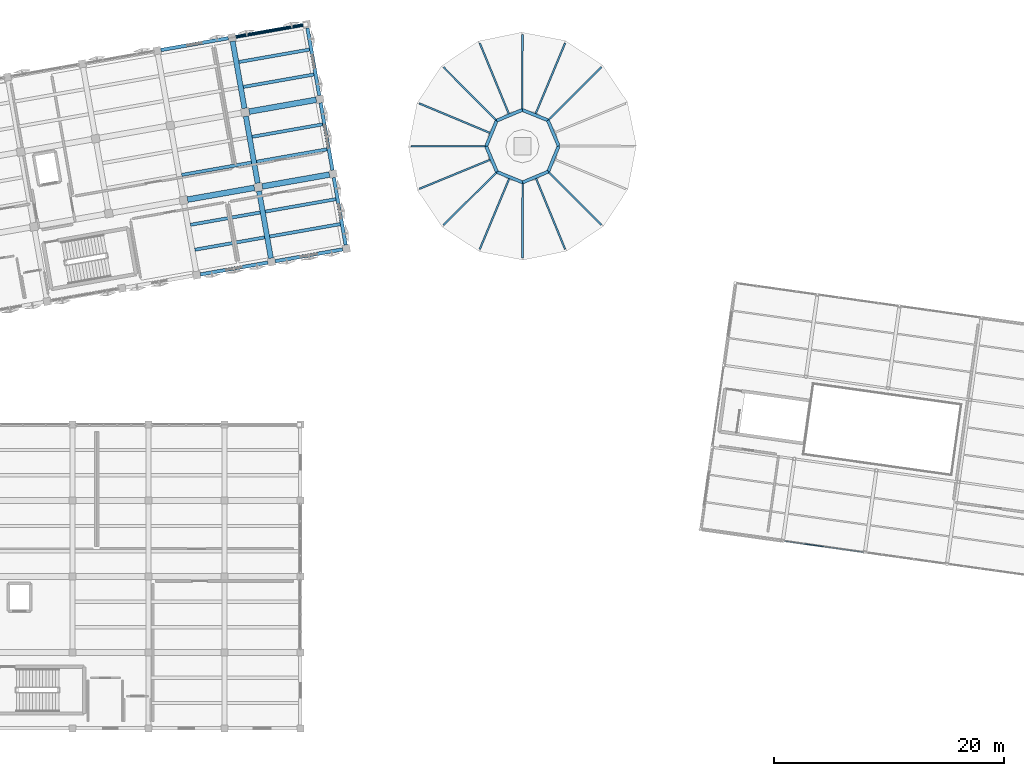
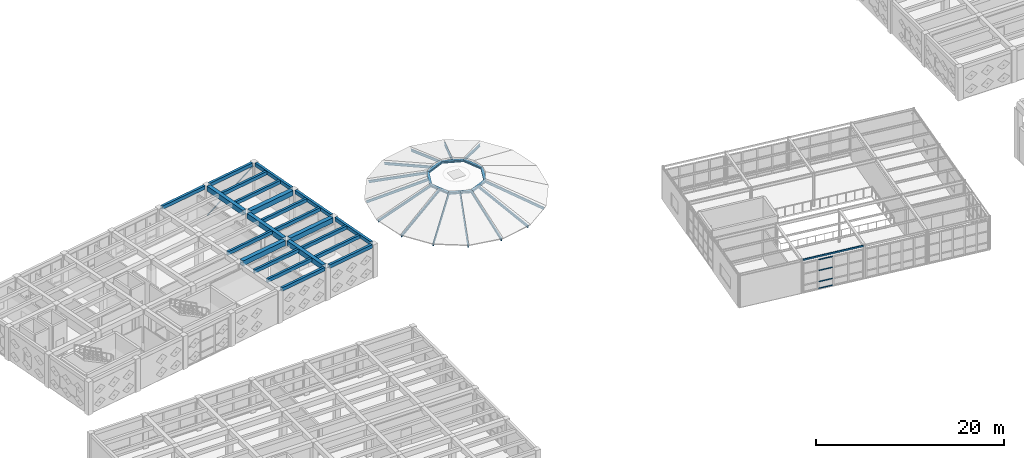
# One storey, part 19 of 67: 44 beams, 5 members, 1 element without a shape of its own.
"""IFC4 building model written with IfcOpenShell, lengths in metres."""

from ifc_helpers import new_model, si_unit, direction, frame, origin, origin_2d, place, context, subcontext, project, spatial, rectangle, hollow_rectangle, hollow_circle, i_section, extrude, material, layer, layer_set, material_profile, profile_set, type_object, element, aggregate, save


model = new_model("IFC4")

# Units and contexts
model_context = context("Model", 3, precision=1e-05, world=origin(), true_north=direction((0.0, 1.0)))
body_context = subcontext(model_context, "Body", "Model", "MODEL_VIEW")
ifc_project = project(units=[si_unit("LENGTHUNIT", "METRE"), si_unit("AREAUNIT", "SQUARE_METRE"), si_unit("VOLUMEUNIT", "CUBIC_METRE"), si_unit("PLANEANGLEUNIT", "RADIAN"), si_unit("MASSUNIT", "GRAM", prefix="KILO")], contexts=[model_context])

# Site, building, storey
site_placement = place(None, origin())
site = spatial("IfcSite", under=ifc_project, at=site_placement, CompositionType="ELEMENT")
building_placement = place(site_placement, origin())
building = spatial("IfcBuilding", under=site, at=building_placement, Name="Kharisveld Research Institute", CompositionType="ELEMENT")
storey_placement = place(building_placement, frame((0.0, 0.0, 9.60009765625)))
storey = spatial("IfcBuildingStorey", under=building, at=storey_placement, Name="L02", CompositionType="ELEMENT", Elevation=9.60009765625)

# Beams
ifc_material_1 = material(Name="Concrete C40/50", Category="concrete")
ifc_material_profile_1 = material_profile(ifc_material_1, rectangle(XDim=0.449951171875, YDim=0.64990234375, at=origin_2d()))
ifc_profile_set_1 = profile_set([ifc_material_profile_1], Name="Concrete C40/50")
beam_type_1 = type_object("IfcBeamType", Name="BM_RC_450x650", PredefinedType="BEAM", material=ifc_profile_set_1)
beam_1_placement = place(storey_placement, frame((37.642333984375, 41.060546875, 3.994873046875), z_axis=(-0.173679554678, 0.984802219883, 0.0), x_axis=(-0.984802219883, -0.173679554678, 0.0)))
element("IfcBeam", 1, at=beam_1_placement, inside=storey, type_object=beam_type_1, Name="BM:V1:L02:V5_0", PredefinedType="BEAM", context=body_context, shape_type="SweptSolid", body=[
    extrude(rectangle(XDim=0.449951171875, YDim=0.64990234375, at=origin_2d()), origin(), (0.0, 0.0, 1.0), 5.925048828125),
])
beam_2_placement = place(storey_placement, frame((36.49169921875, 47.584716796875, 3.994873046875), z_axis=(-0.173624815763, 0.98481187206, 0.0), x_axis=(-0.98481187206, -0.173624815763, 0.0)))
element("IfcBeam", 2, at=beam_2_placement, inside=storey, type_object=beam_type_1, Name="BM:V1:L02:V5_1", PredefinedType="BEAM", context=body_context, shape_type="SweptSolid", body=[
    extrude(rectangle(XDim=0.449951171875, YDim=0.64990234375, at=origin_2d()), origin(), (0.0, 0.0, 1.0), 5.900146484375),
])
beam_3_placement = place(storey_placement, frame((35.345703125, 54.08447265625, 3.994873046875), z_axis=(-0.173639592071, 0.984809266846, 0.0), x_axis=(-0.984809266846, -0.173639592071, 0.0)))
element("IfcBeam", 3, at=beam_3_placement, inside=storey, type_object=beam_type_1, Name="BM:V1:L02:V5_2", PredefinedType="BEAM", context=body_context, shape_type="SweptSolid", body=[
    extrude(rectangle(XDim=0.449951171875, YDim=0.64990234375, at=origin_2d()), origin(), (0.0, 0.0, 1.0), 5.925048828125),
])
ifc_material_2 = material(Name="Concrete C40/50", Category="concrete")
ifc_material_profile_2 = material_profile(ifc_material_2, rectangle(XDim=0.5, YDim=0.64990234375, at=origin_2d()))
ifc_profile_set_2 = profile_set([ifc_material_profile_2], Name="Concrete C40/50")
beam_type_2 = type_object("IfcBeamType", Name="BM_RC_500x650", PredefinedType="BEAM", material=ifc_profile_set_2)
beam_4_placement = place(storey_placement, frame((30.3974609375, 46.15478515625, 3.994873046875), z_axis=(0.98480479605, 0.173664946598, 0.0), x_axis=(-0.173664946598, 0.98480479605, 0.0)))
element("IfcBeam", 4, at=beam_4_placement, inside=storey, type_object=beam_type_2, Name="BM:V1:L02:U4_1", PredefinedType="BEAM", context=body_context, shape_type="SweptSolid", body=[
    extrude(rectangle(XDim=0.5, YDim=0.64990234375, at=origin_2d()), origin(), (0.0, 0.0, 1.0), 5.900146484375),
])
for number, where, z_axis, x_axis, name in (
    (5, (36.897216796875, 47.30078125, 3.994873046875), (0.984802219883, 0.173679554678, 0.0), (-0.173679554678, 0.984802219883, 0.0), "BM:V1:L02:U5_1"),
    (6, (35.751220703125, 53.800537109375, 3.994873046875), (0.984802219883, 0.173679554678, 0.0), (-0.173679554678, 0.984802219883, 0.0), "BM:V1:L02:U5_2"),
):
    element("IfcBeam", number, at=place(storey_placement, frame(where, z_axis=z_axis, x_axis=x_axis)), inside=storey, type_object=beam_type_2, Name=name, PredefinedType="BEAM", context=body_context, shape_type="SweptSolid", body=[
        extrude(rectangle(XDim=0.5, YDim=0.64990234375, at=origin_2d()), origin(), (0.0, 0.0, 1.0), 5.925048828125),
    ])
ifc_material_3 = material(Name="Steel S355JR", Category="steel")
ifc_material_profile_3 = material_profile(ifc_material_3, i_section(OverallWidth=0.280029296875, OverallDepth=0.27001953125, WebThickness=0.008056640625, FlangeThickness=0.012939453125, at=origin_2d()))
ifc_profile_set_3 = profile_set([ifc_material_profile_3], Name="Steel S355JR")
beam_type_3 = type_object("IfcBeamType", Name="BM_ST_HEA280", PredefinedType="BEAM", material=ifc_profile_set_3)
for number, where, z_axis, x_axis, name in (
    (7, (62.64990234375, 50.8193359375, 2.159912109375), (-0.388351244432, 0.921511427465, 0.0), (-0.921511427465, -0.388351244432, 0.0), "BM:V6:L02:APEXCHORD00"),
    (8, (61.713623046875, 53.041015625, 2.159912109375), (-0.926203714998, 0.377023445324, 0.0), (-0.377023445324, -0.926203714998, 0.0), "BM:V6:L02:APEXCHORD02"),
    (9, (59.480712890625, 53.949951171875, 2.159912109375), (-0.921511427465, -0.388351244432, 0.0), (0.388351244432, -0.921511427465, 0.0), "BM:V6:L02:APEXCHORD04"),
    (10, (57.259033203125, 53.013671875, 2.159912109375), (-0.377023445324, -0.926203714998, 0.0), (0.926203714998, -0.377023445324, 0.0), "BM:V6:L02:APEXCHORD06"),
    (11, (56.35009765625, 50.78076171875, 2.159912109375), (0.388351244432, -0.921511427465, 0.0), (0.921511427465, 0.388351244432, 0.0), "BM:V6:L02:APEXCHORD08"),
    (12, (57.286376953125, 48.55908203125, 2.159912109375), (0.926203714998, -0.377023445324, 0.0), (0.377023445324, 0.926203714998, 0.0), "BM:V6:L02:APEXCHORD10"),
    (13, (59.519287109375, 47.650146484375, 2.159912109375), (0.921547664591, 0.388265246818, 0.0), (-0.388265246818, 0.921547664591, 0.0), "BM:V6:L02:APEXCHORD12"),
):
    element("IfcBeam", number, at=place(storey_placement, frame(where, z_axis=z_axis, x_axis=x_axis)), inside=storey, type_object=beam_type_3, Name=name, PredefinedType="BEAM", context=body_context, shape_type="SweptSolid", body=[
        extrude(i_section(OverallWidth=0.280029296875, OverallDepth=0.27001953125, WebThickness=0.008056640625, FlangeThickness=0.012939453125, at=origin_2d()), origin(), (0.0, 0.0, 1.0), 2.410888671875),
    ])
beam_5_placement = place(storey_placement, frame((61.740966796875, 48.586181640625, 2.159912109375), z_axis=(0.376988085277, 0.926218107985, 0.0), x_axis=(-0.926218107985, 0.376988085277, 0.0)))
element("IfcBeam", 14, at=beam_5_placement, inside=storey, type_object=beam_type_3, Name="BM:V6:L02:APEXCHORD14", PredefinedType="BEAM", context=body_context, shape_type="SweptSolid", body=[
    extrude(i_section(OverallWidth=0.280029296875, OverallDepth=0.27001953125, WebThickness=0.008056640625, FlangeThickness=0.012939453125, at=origin_2d()), origin(), (0.0, 0.0, 1.0), 2.4111328125),
])
ifc_material_4 = material(Name="Steel S355JR", Category="steel")
ifc_material_profile_4 = material_profile(ifc_material_4, i_section(OverallWidth=0.14990234375, OverallDepth=0.300048828125, WebThickness=0.007080078125, FlangeThickness=0.0107421875, at=origin_2d()))
ifc_profile_set_4 = profile_set([ifc_material_profile_4], Name="Steel S355JR")
beam_type_4 = type_object("IfcBeamType", Name="BM_ST_IPE300", PredefinedType="BEAM", material=ifc_profile_set_4)
beam_6_placement = place(storey_placement, frame((66.323486328125, 57.62353515625, -0.22998046875), z_axis=(-0.666632574798, -0.662678393653, 0.341259954878), x_axis=(0.705000295558, -0.709207010162, 0.0)))
element("IfcBeam", 15, at=beam_6_placement, inside=storey, type_object=beam_type_4, Name="BM:V6:L02:RAD02", PredefinedType="BEAM", context=body_context, shape_type="SweptSolid", body=[
    extrude(i_section(OverallWidth=0.14990234375, OverallDepth=0.300048828125, WebThickness=0.007080078125, FlangeThickness=0.0107421875, at=origin_2d()), origin(), (0.0, 0.0, 1.0), 6.9150390625),
])
beam_7_placement = place(storey_placement, frame((63.19287109375, 59.71533203125, -0.22998046875), z_axis=(-0.363490151574, -0.87101566889, 0.330464240511), x_axis=(0.922863513234, -0.385127168532, 0.0)))
element("IfcBeam", 16, at=beam_7_placement, inside=storey, type_object=beam_type_4, Name="BM:V6:L02:RAD03", PredefinedType="BEAM", context=body_context, shape_type="SweptSolid", body=[
    extrude(i_section(OverallWidth=0.14990234375, OverallDepth=0.300048828125, WebThickness=0.007080078125, FlangeThickness=0.0107421875, at=origin_2d()), origin(), (0.0, 0.0, 1.0), 7.14111328125),
])
beam_8_placement = place(storey_placement, frame((59.5, 60.449951171875, -0.22998046875), z_axis=(-0.002789108536, -0.939964881888, 0.34125978622), x_axis=(0.99999559775, -0.002967234534, 0.0)))
element("IfcBeam", 17, at=beam_8_placement, inside=storey, type_object=beam_type_4, Name="BM:V6:L02:RAD04", PredefinedType="BEAM", context=body_context, shape_type="SweptSolid", body=[
    extrude(i_section(OverallWidth=0.14990234375, OverallDepth=0.300048828125, WebThickness=0.007080078125, FlangeThickness=0.0107421875, at=origin_2d()), origin(), (0.0, 0.0, 1.0), 6.9150390625),
])
beam_9_placement = place(storey_placement, frame((55.80712890625, 59.71533203125, -0.22998046875), z_axis=(0.358884570331, -0.872919962816, 0.330473302545), x_axis=(0.924884270981, 0.380248715043, 0.0)))
element("IfcBeam", 18, at=beam_9_placement, inside=storey, type_object=beam_type_4, Name="BM:V6:L02:RAD05", PredefinedType="BEAM", context=body_context, shape_type="SweptSolid", body=[
    extrude(i_section(OverallWidth=0.14990234375, OverallDepth=0.300048828125, WebThickness=0.007080078125, FlangeThickness=0.0107421875, at=origin_2d()), origin(), (0.0, 0.0, 1.0), 7.140869140625),
])
beam_10_placement = place(storey_placement, frame((52.676513671875, 57.62353515625, -0.22998046875), z_axis=(0.662678393653, -0.666632574798, 0.341259954878), x_axis=(0.709207010162, 0.705000295558, 0.0)))
element("IfcBeam", 19, at=beam_10_placement, inside=storey, type_object=beam_type_4, Name="BM:V6:L02:RAD06", PredefinedType="BEAM", context=body_context, shape_type="SweptSolid", body=[
    extrude(i_section(OverallWidth=0.14990234375, OverallDepth=0.300048828125, WebThickness=0.007080078125, FlangeThickness=0.0107421875, at=origin_2d()), origin(), (0.0, 0.0, 1.0), 6.9150390625),
])
beam_11_placement = place(storey_placement, frame((50.58447265625, 54.492919921875, -0.22998046875), z_axis=(0.87101566889, -0.363490151574, 0.330464240511), x_axis=(0.385127168532, 0.922863513234, 0.0)))
element("IfcBeam", 20, at=beam_11_placement, inside=storey, type_object=beam_type_4, Name="BM:V6:L02:RAD07", PredefinedType="BEAM", context=body_context, shape_type="SweptSolid", body=[
    extrude(i_section(OverallWidth=0.14990234375, OverallDepth=0.300048828125, WebThickness=0.007080078125, FlangeThickness=0.0107421875, at=origin_2d()), origin(), (0.0, 0.0, 1.0), 7.14111328125),
])
beam_12_placement = place(storey_placement, frame((49.85009765625, 50.800048828125, -0.22998046875), z_axis=(0.939964881888, -0.002789108536, 0.34125978622), x_axis=(0.002967234534, 0.99999559775, 0.0)))
element("IfcBeam", 21, at=beam_12_placement, inside=storey, type_object=beam_type_4, Name="BM:V6:L02:RAD08", PredefinedType="BEAM", context=body_context, shape_type="SweptSolid", body=[
    extrude(i_section(OverallWidth=0.14990234375, OverallDepth=0.300048828125, WebThickness=0.007080078125, FlangeThickness=0.0107421875, at=origin_2d()), origin(), (0.0, 0.0, 1.0), 6.9150390625),
])
beam_13_placement = place(storey_placement, frame((50.58447265625, 47.107177734375, -0.22998046875), z_axis=(0.872928099861, 0.358873859877, 0.33046343999), x_axis=(-0.380235975778, 0.924889508387, 0.0)))
element("IfcBeam", 22, at=beam_13_placement, inside=storey, type_object=beam_type_4, Name="BM:V6:L02:RAD09", PredefinedType="BEAM", context=body_context, shape_type="SweptSolid", body=[
    extrude(i_section(OverallWidth=0.14990234375, OverallDepth=0.300048828125, WebThickness=0.007080078125, FlangeThickness=0.0107421875, at=origin_2d()), origin(), (0.0, 0.0, 1.0), 7.14111328125),
])
beam_14_placement = place(storey_placement, frame((52.676513671875, 43.976318359375, -0.22998046875), z_axis=(0.666616978404, 0.662698194133, 0.341251970832), x_axis=(-0.705019186509, 0.709188230764, 0.0)))
element("IfcBeam", 23, at=beam_14_placement, inside=storey, type_object=beam_type_4, Name="BM:V6:L02:RAD10", PredefinedType="BEAM", context=body_context, shape_type="SweptSolid", body=[
    extrude(i_section(OverallWidth=0.14990234375, OverallDepth=0.300048828125, WebThickness=0.007080078125, FlangeThickness=0.0107421875, at=origin_2d()), origin(), (0.0, 0.0, 1.0), 6.915283203125),
])
beam_15_placement = place(storey_placement, frame((55.80712890625, 41.884521484375, -0.22998046875), z_axis=(0.363490151574, 0.87101566889, 0.330464240511), x_axis=(-0.922863513234, 0.385127168532, 0.0)))
element("IfcBeam", 24, at=beam_15_placement, inside=storey, type_object=beam_type_4, Name="BM:V6:L02:RAD11", PredefinedType="BEAM", context=body_context, shape_type="SweptSolid", body=[
    extrude(i_section(OverallWidth=0.14990234375, OverallDepth=0.300048828125, WebThickness=0.007080078125, FlangeThickness=0.0107421875, at=origin_2d()), origin(), (0.0, 0.0, 1.0), 7.14111328125),
])
beam_16_placement = place(storey_placement, frame((59.5, 41.14990234375, -0.22998046875), z_axis=(0.002789015981, 0.939968993536, 0.341248461653), x_axis=(-0.999995598081, 0.002967123089, 0.0)))
element("IfcBeam", 25, at=beam_16_placement, inside=storey, type_object=beam_type_4, Name="BM:V6:L02:RAD12", PredefinedType="BEAM", context=body_context, shape_type="SweptSolid", body=[
    extrude(i_section(OverallWidth=0.14990234375, OverallDepth=0.300048828125, WebThickness=0.007080078125, FlangeThickness=0.0107421875, at=origin_2d()), origin(), (0.0, 0.0, 1.0), 6.915283203125),
])
beam_17_placement = place(storey_placement, frame((63.19287109375, 41.884521484375, -0.22998046875), z_axis=(-0.358873859877, 0.872928099861, 0.33046343999), x_axis=(-0.924889508387, -0.380235975778, 0.0)))
element("IfcBeam", 26, at=beam_17_placement, inside=storey, type_object=beam_type_4, Name="BM:V6:L02:RAD13", PredefinedType="BEAM", context=body_context, shape_type="SweptSolid", body=[
    extrude(i_section(OverallWidth=0.14990234375, OverallDepth=0.300048828125, WebThickness=0.007080078125, FlangeThickness=0.0107421875, at=origin_2d()), origin(), (0.0, 0.0, 1.0), 7.14111328125),
])
beam_18_placement = place(storey_placement, frame((66.323486328125, 43.976318359375, -0.22998046875), z_axis=(-0.662678393653, 0.666632574798, 0.341259954878), x_axis=(-0.709207010162, -0.705000295558, 0.0)))
element("IfcBeam", 27, at=beam_18_placement, inside=storey, type_object=beam_type_4, Name="BM:V6:L02:RAD14", PredefinedType="BEAM", context=body_context, shape_type="SweptSolid", body=[
    extrude(i_section(OverallWidth=0.14990234375, OverallDepth=0.300048828125, WebThickness=0.007080078125, FlangeThickness=0.0107421875, at=origin_2d()), origin(), (0.0, 0.0, 1.0), 6.9150390625),
])

# Member
ifc_material_5 = material(Name="Steel S355J2H", Category="steel")
ifc_material_profile_5 = material_profile(ifc_material_5, hollow_circle(Radius=0.06982421875, WallThickness=0.00634765625, at=origin_2d()))
ifc_profile_set_5 = profile_set([ifc_material_profile_5], Name="Steel S355J2H")
member_type_1 = type_object("IfcMemberType", Name="BR_CHS140", PredefinedType="BRACE", material=ifc_profile_set_5)
member_1_placement = place(storey_placement, frame((34.35888671875, 60.2568359375, 0.199951171875), z_axis=(0.860042392117, 0.151680082558, 0.48715524868), x_axis=(-0.173683053068, 0.984801602901, 0.0)))
element("IfcMember", 28, at=member_1_placement, inside=storey, type_object=member_type_1, Name="MEM:V1:L02:BR_5_3", PredefinedType="BRACE", context=body_context, shape_type="SweptSolid", body=[
    extrude(hollow_circle(Radius=0.06982421875, WallThickness=0.00634765625, at=origin_2d()), origin(), (0.0, 0.0, 1.0), 7.328369140625),
])

# Curtain wall, members
ifc_material_6 = material(Name="Thermally Broken Aluminium Curtain Wall", Category="aluminium")
ifc_layer = layer(ifc_material_6, 0.159912109375)
ifc_layer_set = layer_set([ifc_layer], Name="CW_SYS_04")
curtain_wall_type = type_object("IfcCurtainWallType", Name="CW_SYS_04", PredefinedType="NOTDEFINED", material=ifc_layer_set)
curtain_wall_placement = place(storey_placement, origin())
curtain_wall = element("IfcCurtainWall", 29, at=curtain_wall_placement, inside=storey, type_object=curtain_wall_type, Name="CW:V4:L02:S2", PredefinedType="NOTDEFINED")
ifc_material_7 = material(Name="Anodised Aluminium AW-6063-T6", Category="aluminium")
ifc_material_profile_6 = material_profile(ifc_material_7, hollow_rectangle(XDim=0.06494140625, YDim=0.139892578125, WallThickness=0.00390625, at=origin_2d()))
ifc_profile_set_6 = profile_set([ifc_material_profile_6], Name="Anodised Aluminium AW-6063-T6")
member_type_2 = type_object("IfcMemberType", Name="CW_TRN_140", PredefinedType="USERDEFINED", material=ifc_profile_set_6)
member_2_placement = place(storey_placement, frame((85.66015625, 16.001708984375, 0.032470703125), z_axis=(-0.990261003732, 0.139223361858, 0.0), x_axis=(-0.139223361858, -0.990261003732, 0.0)))
member_2 = element("IfcMember", 30, at=member_2_placement, type_object=member_type_2, Name="CW-04 transom 3.1", ObjectType="TRANSOM", PredefinedType="USERDEFINED", context=body_context, shape_type="SweptSolid", body=[
    extrude(hollow_rectangle(XDim=0.06494140625, YDim=0.139892578125, WallThickness=0.00390625, at=origin_2d()), origin(), (0.0, 0.0, 1.0), 1.6640625),
])
member_3_placement = place(storey_placement, frame((85.66015625, 16.001708984375, 0.89990234375), z_axis=(-0.990261003732, 0.139223361858, 0.0), x_axis=(-0.139223361858, -0.990261003732, 0.0)))
member_3 = element("IfcMember", 31, at=member_3_placement, type_object=member_type_2, Name="CW-04 transom 3.2", ObjectType="TRANSOM", PredefinedType="USERDEFINED", context=body_context, shape_type="SweptSolid", body=[
    extrude(hollow_rectangle(XDim=0.06494140625, YDim=0.139892578125, WallThickness=0.00390625, at=origin_2d()), origin(), (0.0, 0.0, 1.0), 1.6640625),
])
member_4_placement = place(storey_placement, frame((85.66015625, 16.001708984375, 2.349853515625), z_axis=(-0.990261003732, 0.139223361858, 0.0), x_axis=(-0.139223361858, -0.990261003732, 0.0)))
member_4 = element("IfcMember", 32, at=member_4_placement, type_object=member_type_2, Name="CW-04 transom 3.3", ObjectType="TRANSOM", PredefinedType="USERDEFINED", context=body_context, shape_type="SweptSolid", body=[
    extrude(hollow_rectangle(XDim=0.06494140625, YDim=0.139892578125, WallThickness=0.00390625, at=origin_2d()), origin(), (0.0, 0.0, 1.0), 1.6640625),
])
member_5_placement = place(storey_placement, frame((85.66015625, 16.001708984375, 3.747314453125), z_axis=(-0.990261003732, 0.139223361858, 0.0), x_axis=(-0.139223361858, -0.990261003732, 0.0)))
member_5 = element("IfcMember", 33, at=member_5_placement, type_object=member_type_2, Name="CW-04 transom 3.4", ObjectType="TRANSOM", PredefinedType="USERDEFINED", context=body_context, shape_type="SweptSolid", body=[
    extrude(hollow_rectangle(XDim=0.06494140625, YDim=0.139892578125, WallThickness=0.00390625, at=origin_2d()), origin(), (0.0, 0.0, 1.0), 1.6640625),
])
aggregate(curtain_wall, [member_2, member_3, member_4, member_5])

# Beams
ifc_material_8 = material(Name="Concrete C40/50", Category="concrete")
ifc_material_profile_7 = material_profile(ifc_material_8, rectangle(XDim=0.300048828125, YDim=0.449951171875, at=origin_2d()))
ifc_profile_set_7 = profile_set([ifc_material_profile_7], Name="Concrete C40/50")
beam_type_5 = type_object("IfcBeamType", Name="SP_RC_300x450", PredefinedType="SPANDREL", material=ifc_profile_set_7)
for number, where, z_axis, x_axis, name in (
    (34, (31.51904296875, 39.650634765625, 4.094970703125), (0.984807920462, 0.173647228007, 0.0), (-0.173647228007, 0.984807920462, 0.0), "BM:V1:L02:U4_0"),
    (35, (38.018798828125, 40.796875, 4.094970703125), (0.984807920462, 0.173647228007, 0.0), (-0.173647228007, 0.984807920462, 0.0), "BM:V1:L02:U5_0"),
    (36, (28.080810546875, 59.14990234375, 4.094970703125), (0.984807920462, 0.173647228007, 0.0), (-0.173647228007, 0.984807920462, 0.0), "BM:V1:L02:U4_3"),
    (37, (34.58056640625, 60.2958984375, 4.094970703125), (0.984800902868, 0.173687022284, 0.0), (-0.173687022284, 0.984800902868, 0.0), "BM:V1:L02:U5_3"),
    (38, (44.141845703125, 42.20654296875, 4.094970703125), (-0.173647228007, 0.984807920462, 0.0), (-0.984807920462, -0.173647228007, 0.0), "BM:V1:L02:V6_0"),
    (39, (42.995849609375, 48.706298828125, 4.094970703125), (-0.173647228007, 0.984807920462, 0.0), (-0.984807920462, -0.173647228007, 0.0), "BM:V1:L02:V6_1"),
    (40, (41.849853515625, 55.2060546875, 4.094970703125), (-0.173647228007, 0.984807920462, 0.0), (-0.984807920462, -0.173647228007, 0.0), "BM:V1:L02:V6_2"),
):
    element("IfcBeam", number, at=place(storey_placement, frame(where, z_axis=z_axis, x_axis=x_axis)), inside=storey, type_object=beam_type_5, Name=name, PredefinedType="SPANDREL", context=body_context, shape_type="SweptSolid", body=[
        extrude(rectangle(XDim=0.300048828125, YDim=0.449951171875, at=origin_2d()), origin(), (0.0, 0.0, 1.0), 5.949951171875),
    ])
ifc_material_9 = material(Name="Steel S355J2H", Category="steel")
ifc_material_profile_8 = material_profile(ifc_material_9, hollow_rectangle(XDim=0.10009765625, YDim=0.199951171875, WallThickness=0.008056640625, at=origin_2d()))
ifc_profile_set_8 = profile_set([ifc_material_profile_8], Name="Steel S355J2H")
beam_type_6 = type_object("IfcBeamType", Name="SP_ST_RHS200", PredefinedType="SPANDREL", material=ifc_profile_set_8)
beam_19_placement = place(storey_placement, frame((82.26513671875, 16.47900390625, 4.204833984375), z_axis=(0.990266979849, -0.139180848611, 0.0), x_axis=(0.139180848611, 0.990266979849, 0.0)))
element("IfcBeam", 41, at=beam_19_placement, inside=storey, type_object=beam_type_6, Name="BM:V4:L02:U1_0", PredefinedType="SPANDREL", context=body_context, shape_type="SweptSolid", body=[
    extrude(hollow_rectangle(XDim=0.10009765625, YDim=0.199951171875, WallThickness=0.008056640625, at=origin_2d()), origin(), (0.0, 0.0, 1.0), 6.927001953125),
])
ifc_material_10 = material(Name="Concrete C40/50", Category="concrete")
ifc_material_profile_9 = material_profile(ifc_material_10, rectangle(XDim=0.280029296875, YDim=0.449951171875, at=origin_2d()))
ifc_profile_set_9 = profile_set([ifc_material_profile_9], Name="Concrete C40/50")
beam_type_7 = type_object("IfcBeamType", Name="WB_RC_280x450", PredefinedType="JOIST", material=ifc_profile_set_9)
beam_20_placement = place(storey_placement, frame((31.03857421875, 41.800048828125, 4.094970703125), z_axis=(0.984808726596, 0.17364265611, 0.0), x_axis=(-0.17364265611, 0.984808726596, 0.0)))
element("IfcBeam", 42, at=beam_20_placement, inside=storey, type_object=beam_type_7, Name="BM:V1:L02:J_4_0_R1", PredefinedType="JOIST", context=body_context, shape_type="SweptSolid", body=[
    extrude(rectangle(XDim=0.280029296875, YDim=0.449951171875, at=origin_2d()), origin(), (0.0, 0.0, 1.0), 6.14990234375),
])
for number, where, z_axis, x_axis, name in (
    (43, (30.656494140625, 43.966552734375, 4.094970703125), (0.984809923515, 0.173635867682, 0.0), (-0.173635867682, 0.984809923515, 0.0), "BM:V1:L02:J_4_0_R2"),
    (44, (29.892333984375, 48.2998046875, 4.094970703125), (0.984809923515, 0.173635867682, 0.0), (-0.173635867682, 0.984809923515, 0.0), "BM:V1:L02:J_4_1_R1"),
):
    element("IfcBeam", number, at=place(storey_placement, frame(where, z_axis=z_axis, x_axis=x_axis)), inside=storey, type_object=beam_type_7, Name=name, PredefinedType="JOIST", context=body_context, shape_type="SweptSolid", body=[
        extrude(rectangle(XDim=0.280029296875, YDim=0.449951171875, at=origin_2d()), origin(), (0.0, 0.0, 1.0), 6.150146484375),
    ])
for number, where, z_axis, x_axis, name in (
    (45, (37.538330078125, 42.946044921875, 4.094970703125), (0.984804872144, 0.173664515088, 0.0), (-0.173664515088, 0.984804872144, 0.0), "BM:V1:L02:J_5_0_R1"),
    (46, (37.15625, 45.112548828125, 4.094970703125), (0.984804872144, 0.173664515088, 0.0), (-0.173664515088, 0.984804872144, 0.0), "BM:V1:L02:J_5_0_R2"),
    (47, (36.39208984375, 49.44580078125, 4.094970703125), (0.984811579018, 0.17362647791, 0.0), (-0.17362647791, 0.984811579018, 0.0), "BM:V1:L02:J_5_1_R1"),
):
    element("IfcBeam", number, at=place(storey_placement, frame(where, z_axis=z_axis, x_axis=x_axis)), inside=storey, type_object=beam_type_7, Name=name, PredefinedType="JOIST", context=body_context, shape_type="SweptSolid", body=[
        extrude(rectangle(XDim=0.280029296875, YDim=0.449951171875, at=origin_2d()), origin(), (0.0, 0.0, 1.0), 6.224853515625),
    ])
beam_21_placement = place(storey_placement, frame((36.010009765625, 51.6123046875, 4.094970703125), z_axis=(0.984806054915, 0.17365780778, 0.0), x_axis=(-0.17365780778, 0.984806054915, 0.0)))
element("IfcBeam", 48, at=beam_21_placement, inside=storey, type_object=beam_type_7, Name="BM:V1:L02:J_5_1_R2", PredefinedType="JOIST", context=body_context, shape_type="SweptSolid", body=[
    extrude(rectangle(XDim=0.280029296875, YDim=0.449951171875, at=origin_2d()), origin(), (0.0, 0.0, 1.0), 6.22509765625),
])
for number, where, z_axis, x_axis, name in (
    (49, (35.24609375, 55.945556640625, 4.094970703125), (0.984811579018, 0.17362647791, 0.0), (-0.17362647791, 0.984811579018, 0.0), "BM:V1:L02:J_5_2_R1"),
    (50, (34.864013671875, 58.112060546875, 4.094970703125), (0.984804872144, 0.173664515088, 0.0), (-0.173664515088, 0.984804872144, 0.0), "BM:V1:L02:J_5_2_R2"),
):
    element("IfcBeam", number, at=place(storey_placement, frame(where, z_axis=z_axis, x_axis=x_axis)), inside=storey, type_object=beam_type_7, Name=name, PredefinedType="JOIST", context=body_context, shape_type="SweptSolid", body=[
        extrude(rectangle(XDim=0.280029296875, YDim=0.449951171875, at=origin_2d()), origin(), (0.0, 0.0, 1.0), 6.224853515625),
    ])

save(model, "model.ifc")
